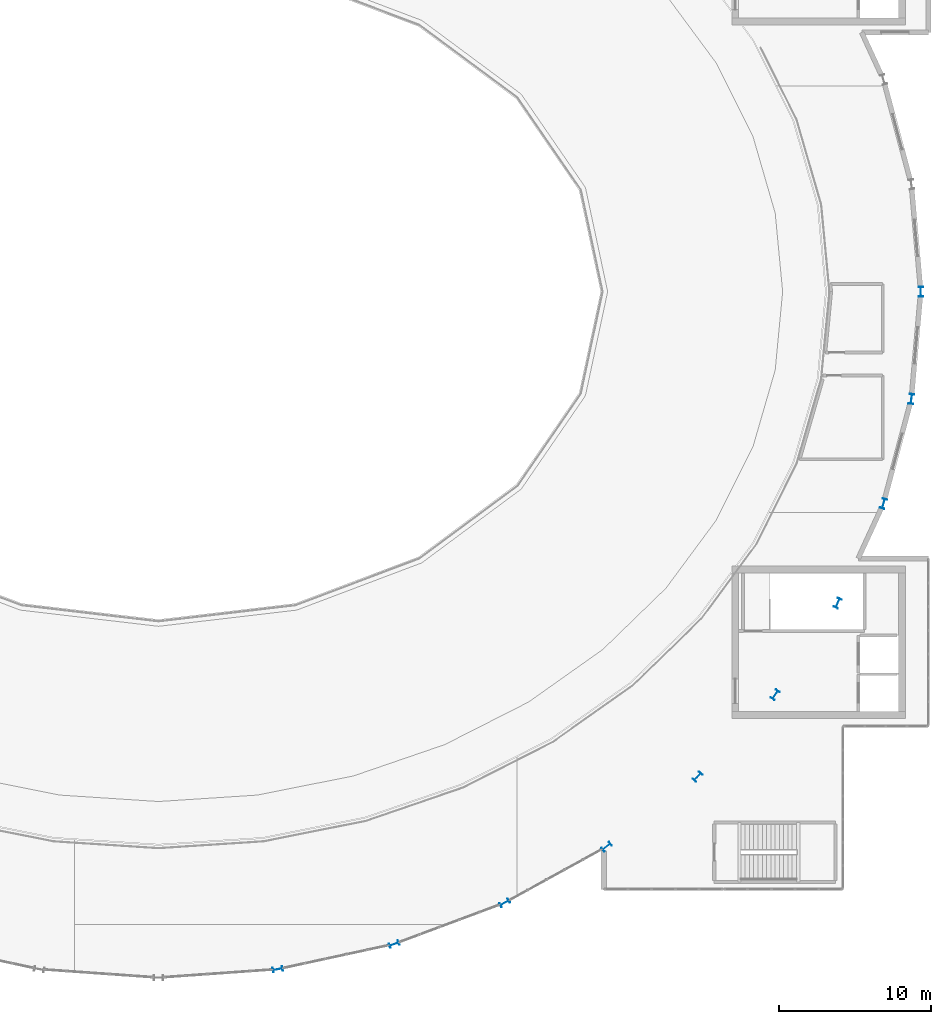
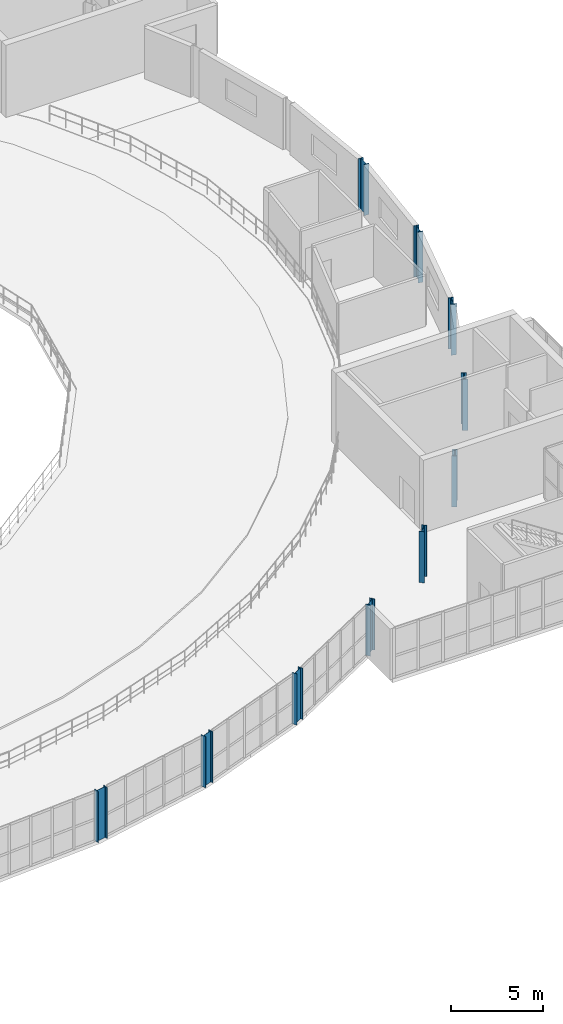
# One storey, part 3 of 40: 10 columns.
"""IFC4 building model written with IfcOpenShell, lengths in metres."""

import ifcopenshell
import ifcopenshell.guid

model = None  # the IFC model being written
_history = None  # IfcOwnerHistory: only IFC2X3 demands one
_inside = {}  # id of a spatial element -> (the spatial element, [elements in it])
_under = {}  # id of a project, library or spatial element -> (it, [spatial elements below it])
_declared = {}  # id of a project -> (the project, [libraries it declares])
_typed = {}  # id of a type object -> (the type object, [elements of that type])
_made_of = {}  # id of a material, layer set ... -> (it, [elements and type objects made of it])


def new_model(schema):
    """Start an empty IFC model of exactly this schema.

    Asked for "IFC4X3", IfcOpenShell would pick the latest addendum, in which some entities
    have other attributes; the version numbers below select the first issue.
    IFC2X3 requires an IfcOwnerHistory on every rooted entity: one is made here for all.
    """
    global model, _history
    if schema == "IFC4X3":
        model = ifcopenshell.file(schema_version=(4, 3, 0, 0))
    else:
        model = ifcopenshell.file(schema=schema)
    _inside.clear()
    _under.clear()
    _declared.clear()
    _typed.clear()
    _made_of.clear()
    _history = None
    if model.schema == "IFC2X3":
        org = make("IfcOrganization", Name="unknown")
        user = make(
            "IfcPersonAndOrganization",
            ThePerson=make("IfcPerson", FamilyName="unknown"),
            TheOrganization=org,
        )
        app = make(
            "IfcApplication",
            ApplicationDeveloper=org,
            Version="unknown",
            ApplicationFullName="unknown",
            ApplicationIdentifier="unknown",
        )
        _history = make(
            "IfcOwnerHistory",
            OwningUser=user,
            OwningApplication=app,
            ChangeAction="ADDED",
            CreationDate=0,
        )
    return model


def make(cls, **values):
    """One entity of the class cls with the attributes given. An attribute that is None is left unset."""
    return model.create_entity(
        cls, **{name: value for name, value in values.items() if value is not None}
    )


def rooted(cls, **values):
    """An entity with a GlobalId (a new one), such as an element, a storey or a relation."""
    return make(cls, GlobalId=ifcopenshell.guid.new(), OwnerHistory=_history, **values)


def si_unit(unit_type, name, prefix=None):
    """IfcSIUnit, for example si_unit("LENGTHUNIT", "METRE", prefix="MILLI")."""
    return make("IfcSIUnit", UnitType=unit_type, Prefix=prefix, Name=name)


def assignment(units):
    """IfcUnitAssignment: the units of a project."""
    return None if units is None else make("IfcUnitAssignment", Units=units)


def point(xyz):
    """IfcCartesianPoint."""
    return None if xyz is None else make("IfcCartesianPoint", Coordinates=xyz)


def direction(xyz):
    """IfcDirection."""
    return None if xyz is None else make("IfcDirection", DirectionRatios=xyz)


def frame(location, z_axis=None, x_axis=None):
    """IfcAxis2Placement3D, a coordinate frame: its origin and axes. An axis left out is left unset."""
    return make(
        "IfcAxis2Placement3D",
        Location=point(location),
        Axis=direction(z_axis),
        RefDirection=direction(x_axis),
    )


def frame_2d(location, x_axis=None):
    """IfcAxis2Placement2D, a coordinate frame in the plane: its origin and x axis."""
    return make(
        "IfcAxis2Placement2D", Location=point(location), RefDirection=direction(x_axis)
    )


def origin():
    """The frame at (0, 0, 0) with its axes left unset."""
    return frame((0.0, 0.0, 0.0))


def origin_2d():
    """The frame at (0, 0) in the plane with its x axis left unset."""
    return frame_2d((0.0, 0.0))


def place(relative_to, where):
    """IfcLocalPlacement: puts the frame where relative to a parent placement (None: the world)."""
    return make(
        "IfcLocalPlacement", PlacementRelTo=relative_to, RelativePlacement=where
    )


def context(
    kind, dimensions, precision=None, world=None, true_north=None, identifier=None
):
    """IfcGeometricRepresentationContext, for example the 3D "Model" context."""
    return make(
        "IfcGeometricRepresentationContext",
        ContextIdentifier=identifier,
        ContextType=kind,
        CoordinateSpaceDimension=dimensions,
        Precision=precision,
        WorldCoordinateSystem=world,
        TrueNorth=true_north,
    )


def subcontext(parent, identifier, kind, view, scale=None):
    """IfcGeometricRepresentationSubContext, for example "Body" below "Model"."""
    return make(
        "IfcGeometricRepresentationSubContext",
        ContextIdentifier=identifier,
        ContextType=kind,
        ParentContext=parent,
        TargetScale=scale,
        TargetView=view,
    )


def project(units=None, contexts=None):
    """IfcProject with its units and contexts."""
    return rooted(
        "IfcProject",
        Name="project",
        RepresentationContexts=contexts,
        UnitsInContext=assignment(units),
    )


def spatial(cls, under=None, at=None, **own):
    """A site, building, storey or space (cls), placed at a placement, below another one or the project."""
    s = rooted(cls, ObjectPlacement=at, **own)
    if under is not None:
        _under.setdefault(under.id(), (under, []))[1].append(s)
    return s


def profile(cls, at=None, kind="AREA", **sizes):
    """A parametric profile (cls). Its sizes go by their IFC names, for example OverallWidth=200.0."""
    return make(cls, ProfileType=kind, Position=at, **sizes)


def i_section(**sizes):
    """IfcIShapeProfileDef."""
    return profile("IfcIShapeProfileDef", **sizes)


def extrude(swept, where, along, depth):
    """IfcExtrudedAreaSolid: the profile swept, set in the frame where, extruded along a direction by depth."""
    return make(
        "IfcExtrudedAreaSolid",
        SweptArea=swept,
        Position=where,
        ExtrudedDirection=direction(along),
        Depth=depth,
    )


def shape(context_of_items, identifier, shape_type, items):
    """IfcShapeRepresentation: the items that make up one representation, for example the "Body"."""
    return make(
        "IfcShapeRepresentation",
        ContextOfItems=context_of_items,
        RepresentationIdentifier=identifier,
        RepresentationType=shape_type,
        Items=items,
    )


def material(Name=None, Category=None):
    """IfcMaterial."""
    return make("IfcMaterial", Name=Name, Category=Category)


def material_profile(
    of_material, cross_section, Name=None, Category=None, Priority=None
):
    """IfcMaterialProfile: a cross section and its material."""
    return make(
        "IfcMaterialProfile",
        Name=Name,
        Material=of_material,
        Profile=cross_section,
        Priority=Priority,
        Category=Category,
    )


def profile_set(profiles, Name=None, composite=None):
    """IfcMaterialProfileSet."""
    return make(
        "IfcMaterialProfileSet",
        Name=Name,
        MaterialProfiles=profiles,
        CompositeProfile=composite,
    )


def made_of(thing, what):
    """Note that an element or type object is made of a material, layer set ...; save() writes the relation."""
    if what is not None:
        _made_of.setdefault(what.id(), (what, []))[1].append(thing)
    return thing


def type_object(cls, material=None, **own):
    """A type object (cls), such as IfcWallType, which elements share."""
    return made_of(rooted(cls, **own), material)


def element(
    cls,
    number,
    at=None,
    inside=None,
    cuts=None,
    type_object=None,
    material=None,
    context=None,
    identifier="Body",
    shape_type=None,
    held_by="IfcProductDefinitionShape",
    body=None,
    shapes=None,
    **own,
):
    """One element of the class cls, such as IfcWall. Its Tag is "e" and its number.

    at: its placement. inside: the storey or other place that contains it. cuts: it is an
    opening in that element (IfcRelVoidsElement). A single representation is given by context,
    identifier, shape_type and body (its items); several are given by shapes. held_by: the class
    of the entity that holds the representations. save() writes the other relations.
    """
    e = rooted(cls, Tag="e%d" % number, ObjectPlacement=at, **own)
    if body is not None:
        shapes = [shape(context, identifier, shape_type, body)]
    if shapes is not None:
        e.Representation = make(held_by, Representations=shapes)
    if inside is not None:
        _inside.setdefault(inside.id(), (inside, []))[1].append(e)
    if cuts is not None:
        rooted(
            "IfcRelVoidsElement", RelatingBuildingElement=cuts, RelatedOpeningElement=e
        )
    if type_object is not None:
        _typed.setdefault(type_object.id(), (type_object, []))[1].append(e)
    return made_of(e, material)


def aggregate(whole, parts):
    """IfcRelAggregates: a whole, such as a stair, and the parts it consists of."""
    return rooted("IfcRelAggregates", RelatingObject=whole, RelatedObjects=parts)


def save(model, path):
    """Write the relations noted so far, then the file.

    IfcRelAggregates (storeys below a building ...), IfcRelContainedInSpatialStructure (elements
    in a storey), IfcRelDefinesByType, IfcRelAssociatesMaterial and IfcRelDeclares: one each for
    every whole, place, type object, material and project.
    """
    for whole, parts in _under.values():
        aggregate(whole, parts)
    for where, things in _inside.values():
        rooted(
            "IfcRelContainedInSpatialStructure",
            RelatedElements=things,
            RelatingStructure=where,
        )
    for kind, things in _typed.values():
        rooted("IfcRelDefinesByType", RelatedObjects=things, RelatingType=kind)
    for what, things in _made_of.values():
        rooted("IfcRelAssociatesMaterial", RelatedObjects=things, RelatingMaterial=what)
    for by, libraries in _declared.values():
        rooted("IfcRelDeclares", RelatingContext=by, RelatedDefinitions=libraries)
    model.write(path)


model = new_model("IFC4")

# Units and contexts
model_context = context("Model", 3, precision=1e-05, world=origin(), true_north=direction((0.0, 1.0)))
body_context = subcontext(model_context, "Body", "Model", "MODEL_VIEW")
ifc_project = project(units=[si_unit("LENGTHUNIT", "METRE"), si_unit("AREAUNIT", "SQUARE_METRE"), si_unit("VOLUMEUNIT", "CUBIC_METRE"), si_unit("PLANEANGLEUNIT", "RADIAN"), si_unit("MASSUNIT", "GRAM", prefix="KILO")], contexts=[model_context])

# Site, building, storey
site_placement = place(None, origin())
site = spatial("IfcSite", under=ifc_project, at=site_placement, CompositionType="ELEMENT")
building_placement = place(site_placement, origin())
building = spatial("IfcBuilding", under=site, at=building_placement, Name="Glasvene Arena", CompositionType="ELEMENT")
storey_placement = place(building_placement, frame((0.0, 0.0, 24.0)))
storey = spatial("IfcBuildingStorey", under=building, at=storey_placement, Name="L05", CompositionType="ELEMENT", Elevation=24.0)

# Columns
ifc_material = material(Name="Steel S355J2", Category="steel")
ifc_material_profile = material_profile(ifc_material, i_section(OverallWidth=0.300048828125, OverallDepth=0.64990234375, WebThickness=0.01611328125, FlangeThickness=0.031005859375, FilletRadius=0.027099609375, at=origin_2d()), Name="HEB 650")
ifc_profile_set = profile_set([ifc_material_profile], Name="Steel S355J2")
column_type = type_object("IfcColumnType", Name="COL-RING-HEB650", PredefinedType="COLUMN", material=ifc_profile_set)
for number, where, z_axis, x_axis, name in (
    (1, (142.0, 73.0, 0.0), (0.0, 0.0, 1.0), (1.0, 0.0, 0.0), "Bowl ring column R01 L05"),
    (2, (99.82177734375, 28.553955078125, 0.0), (0.0, 0.0, 1.0), (0.173304404339, -0.984868307662, 0.0), "Bowl ring column R32 L05"),
    (3, (107.45068359375, 30.202392578125, 0.0), (0.0, 0.0, 1.0), (0.339558864524, -0.94058480613, 0.0), "Bowl ring column R33 L05"),
    (4, (114.699462890625, 32.90478515625, 0.0), (0.0, 0.0, 1.0), (0.492727341548, -0.87018375467, 0.0), "Bowl ring column R34 L05"),
    (5, (121.389404296875, 36.59423828125, 0.0), (0.0, 0.0, 1.0), (0.628098877137, -0.778133536444, 0.0), "Bowl ring column R35 L05"),
    (6, (127.355224609375, 41.18017578125, 0.0), (0.0, 0.0, 1.0), (0.74326159948, -0.669000892928, 0.0), "Bowl ring column R36 L05"),
    (7, (132.45068359375, 46.5498046875, 0.0), (0.0, 0.0, 1.0), (0.836955398099, -0.547271104292, 0.0), "Bowl ring column R37 L05"),
    (8, (136.55029296875, 52.5703125, 0.0), (0.0, 0.0, 1.0), (0.909018020308, -0.416756810089, 0.0), "Bowl ring column R38 L05"),
    (9, (139.552734375, 59.09423828125, 0.0), (0.0, 0.0, 1.0), (0.959805291975, -0.280666708921, 0.0), "Bowl ring column R39 L05"),
    (10, (141.384521484375, 65.96044921875, 0.0), (0.0, 0.0, 1.0), (0.989999050734, -0.141074021516, 0.0), "Bowl ring column R40 L05"),
):
    element("IfcColumn", number, at=place(storey_placement, frame(where, z_axis=z_axis, x_axis=x_axis)), inside=storey, type_object=column_type, Name=name, PredefinedType="COLUMN", context=body_context, shape_type="SweptSolid", body=[
        extrude(i_section(OverallWidth=0.300048828125, OverallDepth=0.64990234375, WebThickness=0.01611328125, FlangeThickness=0.031005859375, FilletRadius=0.027099609375, at=origin_2d()), origin(), (0.0, 0.0, 1.0), 3.39990234375),
    ])

save(model, "model.ifc")
